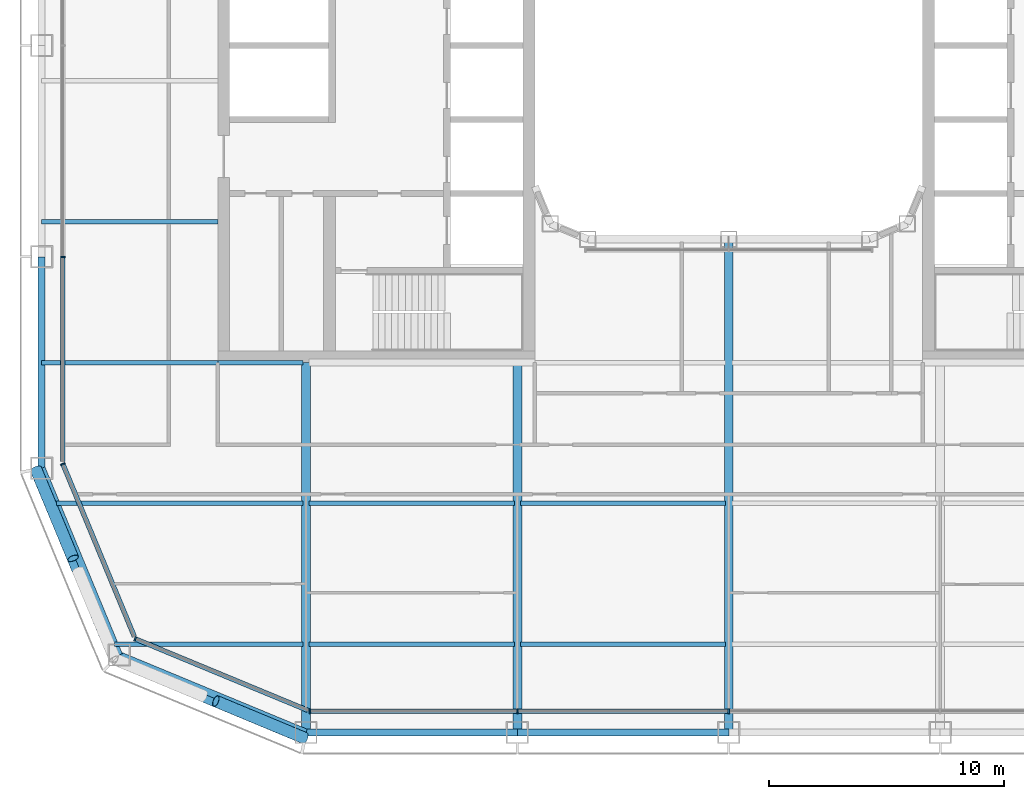
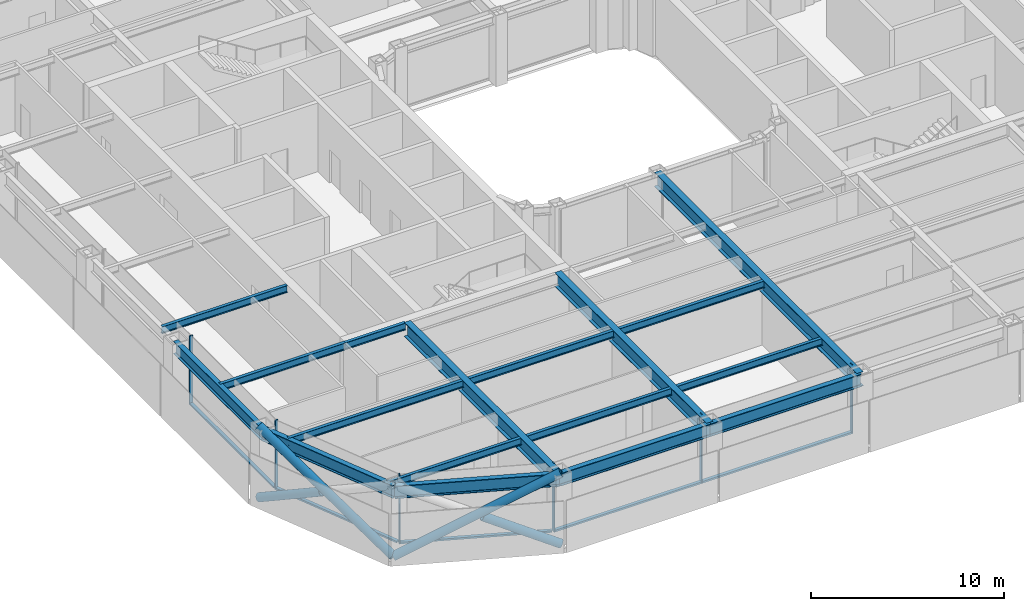
# One storey, part 2 of 21: 17 beams, 15 members, 4 elements without a shape of their own.
"""IFC4 building model written with IfcOpenShell, lengths in metres."""

from ifc_helpers import new_model, si_unit, direction, frame, origin, origin_2d, place, context, subcontext, project, spatial, rectangle, hollow_circle, i_section, extrude, material, layer, layer_set, material_profile, profile_set, type_object, element, aggregate, save


model = new_model("IFC4")

# Units and contexts
model_context = context("Model", 3, precision=1e-05, world=origin(), true_north=direction((0.0, 1.0)))
body_context = subcontext(model_context, "Body", "Model", "MODEL_VIEW")
ifc_project = project(units=[si_unit("LENGTHUNIT", "METRE"), si_unit("AREAUNIT", "SQUARE_METRE"), si_unit("VOLUMEUNIT", "CUBIC_METRE"), si_unit("PLANEANGLEUNIT", "RADIAN"), si_unit("MASSUNIT", "GRAM", prefix="KILO")], contexts=[model_context])

# Site, building, storey
site_placement = place(None, origin())
site = spatial("IfcSite", under=ifc_project, at=site_placement, CompositionType="ELEMENT")
building_placement = place(site_placement, origin())
building = spatial("IfcBuilding", under=site, at=building_placement, Name="Siwar Civic Tower", CompositionType="ELEMENT")
storey_placement = place(building_placement, frame((0.0, 0.0, 104.699951171875)))
storey = spatial("IfcBuildingStorey", under=building, at=storey_placement, Name="L22", CompositionType="ELEMENT", Elevation=104.699951171875)

# Curtain wall, members
ifc_material_1 = material(Name="Aluminium and glass", Category="aluminium")
ifc_layer_1 = layer(ifc_material_1, 0.199951171875)
ifc_layer_set_1 = layer_set([ifc_layer_1], Name="Aluminium and glass")
curtain_wall_type_1 = type_object("IfcCurtainWallType", Name="ENV-CW-B", PredefinedType="NOTDEFINED", material=ifc_layer_set_1)
curtain_wall_1_placement = place(storey_placement, origin())
curtain_wall_1 = element("IfcCurtainWall", 1, at=curtain_wall_1_placement, inside=storey, type_object=curtain_wall_type_1, Name="Curtain wall B S", PredefinedType="NOTDEFINED")
ifc_material_2 = material(Name="Aluminium 6063-T6", Category="aluminium")
ifc_material_profile_1 = material_profile(ifc_material_2, rectangle(XDim=0.199951171875, YDim=0.06494140625, at=origin_2d()), Name="AL 200x65")
ifc_profile_set_1 = profile_set([ifc_material_profile_1], Name="Aluminium 6063-T6")
member_type_1 = type_object("IfcMemberType", Name="ENV-MULLION-B", PredefinedType="MULLION", material=ifc_profile_set_1)
member_1_placement = place(storey_placement, frame((-17.821044921875, -28.35009765625, 0.0), z_axis=(0.0, 0.0, 1.0), x_axis=(0.0, 1.0, 0.0)))
member_1 = element("IfcMember", 2, at=member_1_placement, type_object=member_type_1, Name="Mullion B S 1", PredefinedType="MULLION", context=body_context, shape_type="SweptSolid", body=[
    extrude(rectangle(XDim=0.199951171875, YDim=0.06494140625, at=origin_2d()), origin(), (0.0, 0.0, 1.0), 4.35009765625),
])
member_2_placement = place(storey_placement, frame((-9.0, -28.35009765625, 0.0), z_axis=(0.0, 0.0, 1.0), x_axis=(0.0, 1.0, 0.0)))
member_2 = element("IfcMember", 3, at=member_2_placement, type_object=member_type_1, Name="Mullion B S 2", PredefinedType="MULLION", context=body_context, shape_type="SweptSolid", body=[
    extrude(rectangle(XDim=0.199951171875, YDim=0.06494140625, at=origin_2d()), origin(), (0.0, 0.0, 1.0), 4.35009765625),
])
member_3_placement = place(storey_placement, frame((0.0, -28.35009765625, 0.0), z_axis=(0.0, 0.0, 1.0), x_axis=(0.0, 1.0, 0.0)))
member_3 = element("IfcMember", 4, at=member_3_placement, type_object=member_type_1, Name="Mullion B S 3", PredefinedType="MULLION", context=body_context, shape_type="SweptSolid", body=[
    extrude(rectangle(XDim=0.199951171875, YDim=0.06494140625, at=origin_2d()), origin(), (0.0, 0.0, 1.0), 4.35009765625),
])

# Curtain wall, member
curtain_wall_2_placement = place(storey_placement, origin())
curtain_wall_2 = element("IfcCurtainWall", 5, at=curtain_wall_2_placement, inside=storey, type_object=curtain_wall_type_1, Name="Curtain wall B W", PredefinedType="NOTDEFINED")
member_4_placement = place(storey_placement, frame((-28.35009765625, -9.0, 0.0), z_axis=(0.0, 0.0, 1.0), x_axis=(1.0, 0.0, 0.0)))
member_4 = element("IfcMember", 6, at=member_4_placement, type_object=member_type_1, Name="Mullion B W 4", PredefinedType="MULLION", context=body_context, shape_type="SweptSolid", body=[
    extrude(rectangle(XDim=0.199951171875, YDim=0.06494140625, at=origin_2d()), origin(), (0.0, 0.0, 1.0), 4.35009765625),
])

ifc_material_3 = material(Name="Aluminium clad insulated panel", Category="aluminium")
ifc_layer_2 = layer(ifc_material_3, 0.199951171875)
ifc_layer_set_2 = layer_set([ifc_layer_2], Name="Aluminium clad insulated panel")
curtain_wall_type_2 = type_object("IfcCurtainWallType", Name="ENV-CW-BX", PredefinedType="NOTDEFINED", material=ifc_layer_set_2)
curtain_wall_3_placement = place(storey_placement, origin())
curtain_wall_3 = element("IfcCurtainWall", 7, at=curtain_wall_3_placement, inside=storey, type_object=curtain_wall_type_2, Name="Curtain wall B SW1", PredefinedType="NOTDEFINED")
member_5_placement = place(storey_placement, frame((-28.35009765625, -17.821044921875, 0.0), z_axis=(0.0, 0.0, 1.0), x_axis=(0.923879532511, 0.382683432365, 0.0)))
member_5 = element("IfcMember", 8, at=member_5_placement, type_object=member_type_1, Name="Mullion B SW1 1", PredefinedType="MULLION", context=body_context, shape_type="SweptSolid", body=[
    extrude(rectangle(XDim=0.199951171875, YDim=0.06494140625, at=origin_2d()), origin(), (0.0, 0.0, 1.0), 4.35009765625),
])

curtain_wall_4_placement = place(storey_placement, origin())
curtain_wall_4 = element("IfcCurtainWall", 9, at=curtain_wall_4_placement, inside=storey, type_object=curtain_wall_type_2, Name="Curtain wall B SW2", PredefinedType="NOTDEFINED")
member_6_placement = place(storey_placement, frame((-25.26611328125, -25.26611328125, 0.0), z_axis=(0.0, 0.0, 1.0), x_axis=(0.382683432365, 0.923879532511, 0.0)))
member_6 = element("IfcMember", 10, at=member_6_placement, type_object=member_type_1, Name="Mullion B SW2 1", PredefinedType="MULLION", context=body_context, shape_type="SweptSolid", body=[
    extrude(rectangle(XDim=0.199951171875, YDim=0.06494140625, at=origin_2d()), origin(), (0.0, 0.0, 1.0), 4.35009765625),
])

# Member
ifc_material_4 = material(Name="Aluminium 6063-T6", Category="aluminium")
ifc_material_profile_2 = material_profile(ifc_material_4, rectangle(XDim=0.199951171875, YDim=0.110107421875, at=origin_2d()), Name="AL 200x110")
ifc_profile_set_2 = profile_set([ifc_material_profile_2], Name="Aluminium 6063-T6")
member_type_2 = type_object("IfcMemberType", Name="ENV-TRANSOM-B", PredefinedType="USERDEFINED", material=ifc_profile_set_2)
member_7_placement = place(storey_placement, frame((-17.78857421875, -28.35009765625, 0.054931640625), z_axis=(1.0, 0.0, 0.0), x_axis=(0.0, 1.0, 0.0)))
member_7 = element("IfcMember", 11, at=member_7_placement, type_object=member_type_2, Name="Transom B S 1", ObjectType="TRANSOM", PredefinedType="USERDEFINED", context=body_context, shape_type="SweptSolid", body=[
    extrude(rectangle(XDim=0.199951171875, YDim=0.110107421875, at=origin_2d()), origin(), (0.0, 0.0, 1.0), 8.756103515625),
])

member_8_placement = place(storey_placement, frame((-8.967529296875, -28.35009765625, 0.054931640625), z_axis=(1.0, 0.0, 0.0), x_axis=(0.0, 1.0, 0.0)))
member_8 = element("IfcMember", 12, at=member_8_placement, type_object=member_type_2, Name="Transom B S 2", ObjectType="TRANSOM", PredefinedType="USERDEFINED", context=body_context, shape_type="SweptSolid", body=[
    extrude(rectangle(XDim=0.199951171875, YDim=0.110107421875, at=origin_2d()), origin(), (0.0, 0.0, 1.0), 8.93505859375),
])

aggregate(curtain_wall_1, [member_1, member_2, member_3, member_7, member_8])

member_9_placement = place(storey_placement, frame((-28.35009765625, -9.032470703125, 0.054931640625), z_axis=(0.0, -1.0, 0.0), x_axis=(1.0, 0.0, 0.0)))
member_9 = element("IfcMember", 13, at=member_9_placement, type_object=member_type_2, Name="Transom B W 4", ObjectType="TRANSOM", PredefinedType="USERDEFINED", context=body_context, shape_type="SweptSolid", body=[
    extrude(rectangle(XDim=0.199951171875, YDim=0.110107421875, at=origin_2d()), origin(), (0.0, 0.0, 1.0), 8.6748046875),
])

aggregate(curtain_wall_2, [member_4, member_9])

member_10_placement = place(storey_placement, frame((-28.337646484375, -17.85107421875, 0.054931640625), z_axis=(0.382699695651, -0.92387279587, 0.0), x_axis=(0.92387279587, 0.382699695651, 0.0)))
member_10 = element("IfcMember", 14, at=member_10_placement, type_object=member_type_2, Name="Transom B SW1 1", ObjectType="TRANSOM", PredefinedType="USERDEFINED", context=body_context, shape_type="SweptSolid", body=[
    extrude(rectangle(XDim=0.199951171875, YDim=0.110107421875, at=origin_2d()), origin(), (0.0, 0.0, 1.0), 7.912353515625),
])

aggregate(curtain_wall_3, [member_5, member_10])

member_11_placement = place(storey_placement, frame((-25.236083984375, -25.278564453125, 0.054931640625), z_axis=(0.923883705044, -0.382673358825, 0.0), x_axis=(0.382673358825, 0.923883705044, 0.0)))
member_11 = element("IfcMember", 15, at=member_11_placement, type_object=member_type_2, Name="Transom B SW2 1", ObjectType="TRANSOM", PredefinedType="USERDEFINED", context=body_context, shape_type="SweptSolid", body=[
    extrude(rectangle(XDim=0.199951171875, YDim=0.110107421875, at=origin_2d()), origin(), (0.0, 0.0, 1.0), 7.912353515625),
])

aggregate(curtain_wall_4, [member_6, member_11])

# Members
ifc_material_5 = material(Name="Steel S355", Category="steel")
ifc_material_profile_3 = material_profile(ifc_material_5, hollow_circle(Radius=0.25390625, WallThickness=0.02490234375, at=origin_2d()), Name="CHS508x25")
ifc_profile_set_3 = profile_set([ifc_material_profile_3], Name="Steel S355")
member_type_3 = type_object("IfcMemberType", Name="STR-BR-CHS508x25", PredefinedType="BRACE", material=ifc_profile_set_3)
member_12_placement = place(storey_placement, frame((-26.1318359375, -26.1318359375, 0.0), z_axis=(0.821142553604, -0.341671493852, 0.457149315816), x_axis=(0.384163874976, 0.923264922524, 0.0)))
element("IfcMember", 16, at=member_12_placement, inside=storey, type_object=member_type_3, Name="L22/brc/BSW1-1-0-1", PredefinedType="BRACE", context=body_context, shape_type="SweptSolid", body=[
    extrude(hollow_circle(Radius=0.25390625, WallThickness=0.02490234375, at=origin_2d()), origin(), (0.0, 0.0, 1.0), 9.843505859375),
])
member_13_placement = place(storey_placement, frame((-18.048828125, -29.4951171875, 0.0), z_axis=(-0.821126041429, 0.341677318012, 0.457174621391), x_axis=(-0.384176042158, -0.923259859753, 0.0)))
element("IfcMember", 17, at=member_13_placement, inside=storey, type_object=member_type_3, Name="L22/brc/BSW1-1-0-2", PredefinedType="BRACE", context=body_context, shape_type="SweptSolid", body=[
    extrude(hollow_circle(Radius=0.25390625, WallThickness=0.02490234375, at=origin_2d()), origin(), (0.0, 0.0, 1.0), 4.614501953125),
])
member_14_placement = place(storey_placement, frame((-26.1318359375, -26.1318359375, 0.0), z_axis=(-0.341671493852, 0.821142553604, 0.457149315816), x_axis=(-0.923264922524, -0.384163874976, 0.0)))
element("IfcMember", 18, at=member_14_placement, inside=storey, type_object=member_type_3, Name="L22/brc/BSW1-1-0-0", PredefinedType="BRACE", context=body_context, shape_type="SweptSolid", body=[
    extrude(hollow_circle(Radius=0.25390625, WallThickness=0.02490234375, at=origin_2d()), origin(), (0.0, 0.0, 1.0), 9.843505859375),
])
member_15_placement = place(storey_placement, frame((-29.4951171875, -18.048828125, 0.0), z_axis=(0.341677318012, -0.821126041429, 0.457174621391), x_axis=(0.923259859753, 0.384176042158, 0.0)))
element("IfcMember", 19, at=member_15_placement, inside=storey, type_object=member_type_3, Name="L22/brc/BSW1-1-0-4", PredefinedType="BRACE", context=body_context, shape_type="SweptSolid", body=[
    extrude(hollow_circle(Radius=0.25390625, WallThickness=0.02490234375, at=origin_2d()), origin(), (0.0, 0.0, 1.0), 4.614501953125),
])

# Beams
ifc_material_6 = material(Name="Steel S355", Category="steel")
ifc_material_profile_4 = material_profile(ifc_material_6, i_section(OverallWidth=0.18994140625, OverallDepth=0.449951171875, WebThickness=0.009521484375, FlangeThickness=0.0146484375, FilletRadius=0.02099609375, at=origin_2d()), Name="IPE450")
ifc_profile_set_4 = profile_set([ifc_material_profile_4], Name="Steel S355")
beam_type_1 = type_object("IfcBeamType", Name="STR-FB-IPE450", PredefinedType="JOIST", material=ifc_profile_set_4)
beam_1_placement = place(storey_placement, frame((-26.143310546875, -25.5, 4.125), z_axis=(1.0, 0.0, 0.0), x_axis=(0.0, 1.0, 0.0)))
element("IfcBeam", 20, at=beam_1_placement, inside=storey, type_object=beam_type_1, Name="L22/bm/F001", PredefinedType="JOIST", context=body_context, shape_type="SweptSolid", body=[
    extrude(i_section(OverallWidth=0.18994140625, OverallDepth=0.449951171875, WebThickness=0.009521484375, FlangeThickness=0.0146484375, FilletRadius=0.02099609375, at=origin_2d()), origin(), (0.0, 0.0, 1.0), 8.013427734375),
])
for number, where, z_axis, x_axis, name in (
    (21, (-17.8701171875, -25.5, 4.125), (1.0, 0.0, 0.0), (0.0, 1.0, 0.0), "L22/bm/F002"),
    (22, (-8.8701171875, -25.5, 4.125), (1.0, 0.0, 0.0), (0.0, 1.0, 0.0), "L22/bm/F003"),
):
    element("IfcBeam", number, at=place(storey_placement, frame(where, z_axis=z_axis, x_axis=x_axis)), inside=storey, type_object=beam_type_1, Name=name, PredefinedType="JOIST", context=body_context, shape_type="SweptSolid", body=[
        extrude(i_section(OverallWidth=0.18994140625, OverallDepth=0.449951171875, WebThickness=0.009521484375, FlangeThickness=0.0146484375, FilletRadius=0.02099609375, at=origin_2d()), origin(), (0.0, 0.0, 1.0), 8.740234375),
    ])
beam_2_placement = place(storey_placement, frame((-28.628662109375, -19.5, 4.125), z_axis=(1.0, 0.0, 0.0), x_axis=(0.0, 1.0, 0.0)))
element("IfcBeam", 23, at=beam_2_placement, inside=storey, type_object=beam_type_1, Name="L22/bm/F007", PredefinedType="JOIST", context=body_context, shape_type="SweptSolid", body=[
    extrude(i_section(OverallWidth=0.18994140625, OverallDepth=0.449951171875, WebThickness=0.009521484375, FlangeThickness=0.0146484375, FilletRadius=0.02099609375, at=origin_2d()), origin(), (0.0, 0.0, 1.0), 10.498779296875),
])
for number, where, z_axis, x_axis, name in (
    (24, (-17.8701171875, -19.5, 4.125), (1.0, 0.0, 0.0), (0.0, 1.0, 0.0), "L22/bm/F008"),
    (25, (-8.8701171875, -19.5, 4.125), (1.0, 0.0, 0.0), (0.0, 1.0, 0.0), "L22/bm/F009"),
):
    element("IfcBeam", number, at=place(storey_placement, frame(where, z_axis=z_axis, x_axis=x_axis)), inside=storey, type_object=beam_type_1, Name=name, PredefinedType="JOIST", context=body_context, shape_type="SweptSolid", body=[
        extrude(i_section(OverallWidth=0.18994140625, OverallDepth=0.449951171875, WebThickness=0.009521484375, FlangeThickness=0.0146484375, FilletRadius=0.02099609375, at=origin_2d()), origin(), (0.0, 0.0, 1.0), 8.740234375),
    ])
beam_3_placement = place(storey_placement, frame((-29.25, -13.5, 4.125), z_axis=(1.0, 0.0, 0.0), x_axis=(0.0, 1.0, 0.0)))
element("IfcBeam", 26, at=beam_3_placement, inside=storey, type_object=beam_type_1, Name="L22/bm/F013", PredefinedType="JOIST", context=body_context, shape_type="SweptSolid", body=[
    extrude(i_section(OverallWidth=0.18994140625, OverallDepth=0.449951171875, WebThickness=0.009521484375, FlangeThickness=0.0146484375, FilletRadius=0.02099609375, at=origin_2d()), origin(), (0.0, 0.0, 1.0), 7.5),
])
beam_4_placement = place(storey_placement, frame((-21.75, -13.5, 4.125), z_axis=(1.0, 0.0, 0.0), x_axis=(0.0, 1.0, 0.0)))
element("IfcBeam", 27, at=beam_4_placement, inside=storey, type_object=beam_type_1, Name="L22/bm/F014", PredefinedType="JOIST", context=body_context, shape_type="SweptSolid", body=[
    extrude(i_section(OverallWidth=0.18994140625, OverallDepth=0.449951171875, WebThickness=0.009521484375, FlangeThickness=0.0146484375, FilletRadius=0.02099609375, at=origin_2d()), origin(), (0.0, 0.0, 1.0), 3.6201171875),
])
beam_5_placement = place(storey_placement, frame((-29.25, -7.5, 4.125), z_axis=(1.0, 0.0, 0.0), x_axis=(0.0, 1.0, 0.0)))
element("IfcBeam", 28, at=beam_5_placement, inside=storey, type_object=beam_type_1, Name="L22/bm/F021", PredefinedType="JOIST", context=body_context, shape_type="SweptSolid", body=[
    extrude(i_section(OverallWidth=0.18994140625, OverallDepth=0.449951171875, WebThickness=0.009521484375, FlangeThickness=0.0146484375, FilletRadius=0.02099609375, at=origin_2d()), origin(), (0.0, 0.0, 1.0), 7.5),
])
ifc_material_7 = material(Name="Steel S355", Category="steel")
ifc_material_profile_5 = material_profile(ifc_material_7, i_section(OverallWidth=0.3798828125, OverallDepth=0.89990234375, WebThickness=0.01611328125, FlangeThickness=0.035888671875, at=origin_2d()), Name="PG900x380x16x36")
ifc_profile_set_5 = profile_set([ifc_material_profile_5], Name="Steel S355")
beam_type_2 = type_object("IfcBeamType", Name="STR-PG-PG900x380x16x36", PredefinedType="BEAM", material=ifc_profile_set_5)
for number, where, z_axis, x_axis, name in (
    (29, (-18.0, -29.25, 3.900146484375), (0.0, 1.0, 0.0), (-1.0, 0.0, 0.0), "L22/bm/G01"),
    (30, (-9.0, -29.25, 3.900146484375), (0.0, 1.0, 0.0), (-1.0, 0.0, 0.0), "L22/bm/G03"),
):
    element("IfcBeam", number, at=place(storey_placement, frame(where, z_axis=z_axis, x_axis=x_axis)), inside=storey, type_object=beam_type_2, Name=name, PredefinedType="BEAM", context=body_context, shape_type="SweptSolid", body=[
        extrude(i_section(OverallWidth=0.3798828125, OverallDepth=0.89990234375, WebThickness=0.01611328125, FlangeThickness=0.035888671875, at=origin_2d()), origin(), (0.0, 0.0, 1.0), 15.75),
    ])
beam_6_placement = place(storey_placement, frame((0.0, -29.25, 3.900146484375), z_axis=(0.0, 1.0, 0.0), x_axis=(-1.0, 0.0, 0.0)))
element("IfcBeam", 31, at=beam_6_placement, inside=storey, type_object=beam_type_2, Name="L22/bm/G05", PredefinedType="BEAM", context=body_context, shape_type="SweptSolid", body=[
    extrude(i_section(OverallWidth=0.3798828125, OverallDepth=0.89990234375, WebThickness=0.01611328125, FlangeThickness=0.035888671875, at=origin_2d()), origin(), (0.0, 0.0, 1.0), 21.0),
])
ifc_material_8 = material(Name="Steel S355", Category="steel")
ifc_material_profile_6 = material_profile(ifc_material_8, i_section(OverallWidth=0.300048828125, OverallDepth=0.800048828125, WebThickness=0.017578125, FlangeThickness=0.032958984375, FilletRadius=0.030029296875, at=origin_2d()), Name="HEB800")
ifc_profile_set_6 = profile_set([ifc_material_profile_6], Name="Steel S355")
beam_type_3 = type_object("IfcBeamType", Name="STR-SB-HEB800", PredefinedType="BEAM", material=ifc_profile_set_6)
for number, where, z_axis, x_axis, name in (
    (32, (-18.0, -29.25, 3.949951171875), (1.0, 0.0, 0.0), (0.0, 1.0, 0.0), "L22/bm/SS-0"),
    (33, (-9.0, -29.25, 3.949951171875), (1.0, 0.0, 0.0), (0.0, 1.0, 0.0), "L22/bm/SS-1"),
    (34, (-29.25, -9.0, 3.949951171875), (0.0, -1.0, 0.0), (1.0, 0.0, 0.0), "L22/bm/SW-3"),
):
    element("IfcBeam", number, at=place(storey_placement, frame(where, z_axis=z_axis, x_axis=x_axis)), inside=storey, type_object=beam_type_3, Name=name, PredefinedType="BEAM", context=body_context, shape_type="SweptSolid", body=[
        extrude(i_section(OverallWidth=0.300048828125, OverallDepth=0.800048828125, WebThickness=0.017578125, FlangeThickness=0.032958984375, FilletRadius=0.030029296875, at=origin_2d()), origin(), (0.0, 0.0, 1.0), 9.0),
    ])
for number, where, z_axis, x_axis, name in (
    (35, (-29.25, -18.0, 3.949951171875), (0.382699877515, -0.923872720536, 0.0), (0.923872720536, 0.382699877515, 0.0), "L22/bm/SSW1-0"),
    (36, (-25.954833984375, -25.954833984375, 3.949951171875), (0.923872720536, -0.382699877515, 0.0), (0.382699877515, 0.923872720536, 0.0), "L22/bm/SSW2-0"),
):
    element("IfcBeam", number, at=place(storey_placement, frame(where, z_axis=z_axis, x_axis=x_axis)), inside=storey, type_object=beam_type_3, Name=name, PredefinedType="BEAM", context=body_context, shape_type="SweptSolid", body=[
        extrude(i_section(OverallWidth=0.300048828125, OverallDepth=0.800048828125, WebThickness=0.017578125, FlangeThickness=0.032958984375, FilletRadius=0.030029296875, at=origin_2d()), origin(), (0.0, 0.0, 1.0), 8.6103515625),
    ])

save(model, "model.ifc")
